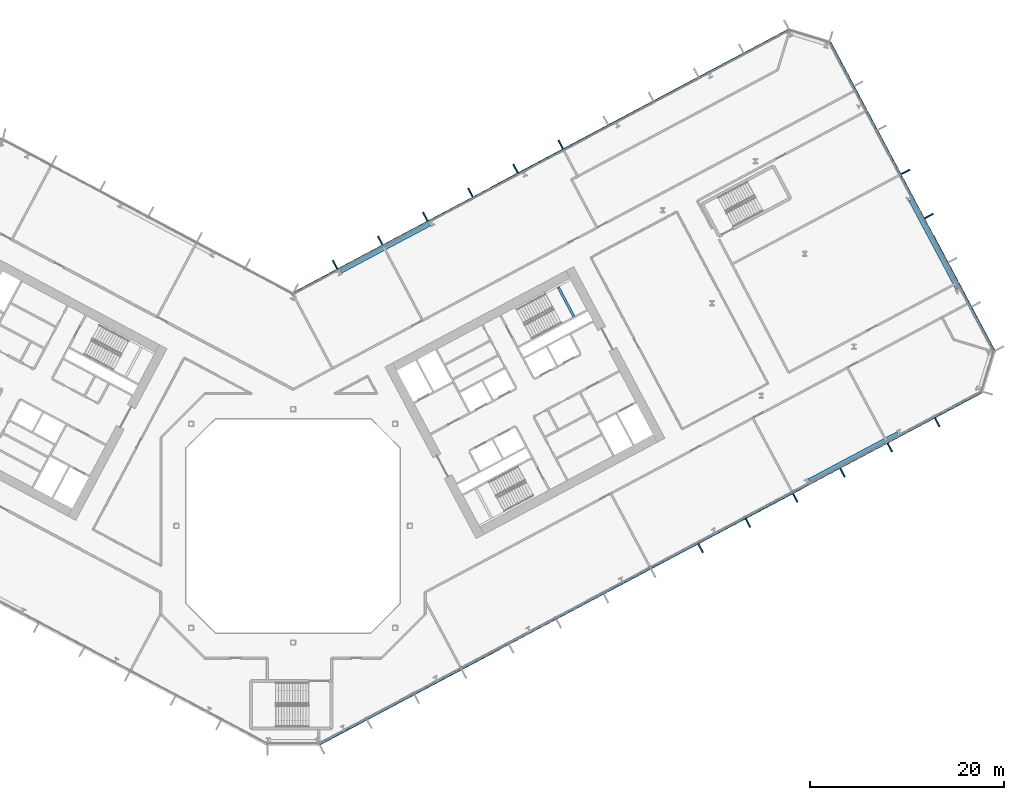
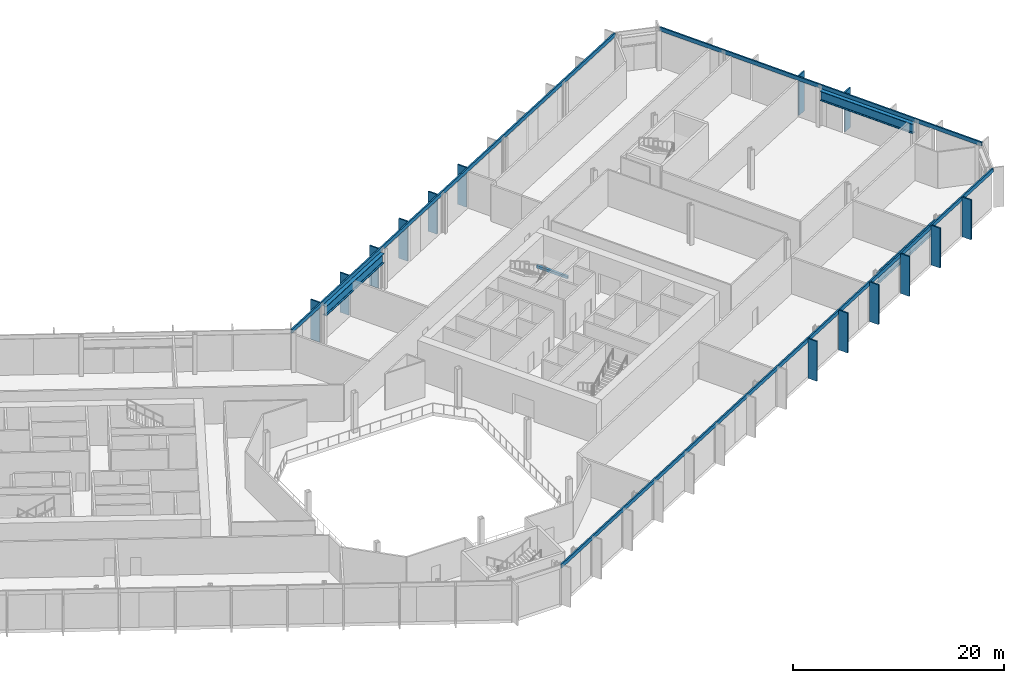
# One storey, part 8 of 32: 17 members, 4 beams, 3 elements without a shape of their own.
"""IFC4 building model written with IfcOpenShell, lengths in metres."""

from ifc_helpers import new_model, si_unit, direction, frame, origin, origin_2d, place, context, subcontext, project, spatial, rectangle, i_section, extrude, material, layer, layer_set, material_profile, profile_set, type_object, element, aggregate, save


model = new_model("IFC4")

# Units and contexts
model_context = context("Model", 3, precision=1e-05, world=origin(), true_north=direction((0.0, 1.0)))
body_context = subcontext(model_context, "Body", "Model", "MODEL_VIEW")
ifc_project = project(units=[si_unit("LENGTHUNIT", "METRE"), si_unit("AREAUNIT", "SQUARE_METRE"), si_unit("VOLUMEUNIT", "CUBIC_METRE"), si_unit("PLANEANGLEUNIT", "RADIAN"), si_unit("MASSUNIT", "GRAM", prefix="KILO")], contexts=[model_context])

# Site, building, storey
site_placement = place(None, origin())
site = spatial("IfcSite", under=ifc_project, at=site_placement, CompositionType="ELEMENT")
building_placement = place(site_placement, origin())
building = spatial("IfcBuilding", under=site, at=building_placement, Name="Cormorant Relay Tower", CompositionType="ELEMENT")
storey_placement = place(building_placement, frame((0.0, 0.0, 75.39990234375)))
storey = spatial("IfcBuildingStorey", under=building, at=storey_placement, Name="L14", CompositionType="ELEMENT", Elevation=75.39990234375)

# Curtain wall, members
ifc_material_1 = material(Name="Aluminium 6063-T6 anodised bronze", Category="aluminium")
ifc_layer = layer(ifc_material_1, 0.199951171875)
ifc_layer_set = layer_set([ifc_layer], Name="CW1 unitised bronze curtain wall with vertical fins")
curtain_wall_type = type_object("IfcCurtainWallType", Name="CW1 unitised bronze curtain wall with vertical fins", PredefinedType="NOTDEFINED", material=ifc_layer_set)
curtain_wall_1_placement = place(storey_placement, origin())
curtain_wall_1 = element("IfcCurtainWall", 1, at=curtain_wall_1_placement, inside=storey, type_object=curtain_wall_type, Name="CW1 curtain wall 2", PredefinedType="NOTDEFINED")
ifc_material_2 = material(Name="Aluminium 6063-T6 anodised bronze", Category="aluminium")
ifc_material_profile_1 = material_profile(ifc_material_2, rectangle(XDim=0.14990234375, YDim=1.0, at=origin_2d()), Name="AL 150x1000")
ifc_profile_set_1 = profile_set([ifc_material_profile_1], Name="Aluminium 6063-T6 anodised bronze")
member_type_1 = type_object("IfcMemberType", Name="CW1 bronze fin mullion 150 x 1000", PredefinedType="MULLION", material=ifc_profile_set_1)
member_1_placement = place(storey_placement, frame((41.910888671875, -2.29248046875, 0.0), z_axis=(0.0, 0.0, 1.0), x_axis=(0.882947592859, 0.469471562786, 0.0)))
member_1 = element("IfcMember", 2, at=member_1_placement, type_object=member_type_1, Name="CW1 fin 2.9", PredefinedType="MULLION", context=body_context, shape_type="SweptSolid", body=[
    extrude(rectangle(XDim=0.14990234375, YDim=1.0, at=origin_2d()), origin(), (0.0, 0.0, 1.0), 4.60009765625),
])
member_2_placement = place(storey_placement, frame((46.777587890625, 0.29541015625, 0.0), z_axis=(0.0, 0.0, 1.0), x_axis=(0.882947592859, 0.469471562786, 0.0)))
member_2 = element("IfcMember", 3, at=member_2_placement, type_object=member_type_1, Name="CW1 fin 2.10", PredefinedType="MULLION", context=body_context, shape_type="SweptSolid", body=[
    extrude(rectangle(XDim=0.14990234375, YDim=1.0, at=origin_2d()), origin(), (0.0, 0.0, 1.0), 4.60009765625),
])
member_3_placement = place(storey_placement, frame((51.644287109375, 2.8828125, 0.0), z_axis=(0.0, 0.0, 1.0), x_axis=(0.882947592859, 0.469471562786, 0.0)))
member_3 = element("IfcMember", 4, at=member_3_placement, type_object=member_type_1, Name="CW1 fin 2.11", PredefinedType="MULLION", context=body_context, shape_type="SweptSolid", body=[
    extrude(rectangle(XDim=0.14990234375, YDim=1.0, at=origin_2d()), origin(), (0.0, 0.0, 1.0), 4.60009765625),
])
member_4_placement = place(storey_placement, frame((56.510986328125, 5.470703125, 0.0), z_axis=(0.0, 0.0, 1.0), x_axis=(0.882947592859, 0.469471562786, 0.0)))
member_4 = element("IfcMember", 5, at=member_4_placement, type_object=member_type_1, Name="CW1 fin 2.12", PredefinedType="MULLION", context=body_context, shape_type="SweptSolid", body=[
    extrude(rectangle(XDim=0.14990234375, YDim=1.0, at=origin_2d()), origin(), (0.0, 0.0, 1.0), 4.60009765625),
])
member_5_placement = place(storey_placement, frame((61.377685546875, 8.058349609375, 0.0), z_axis=(0.0, 0.0, 1.0), x_axis=(0.882947592859, 0.469471562786, 0.0)))
member_5 = element("IfcMember", 6, at=member_5_placement, type_object=member_type_1, Name="CW1 fin 2.13", PredefinedType="MULLION", context=body_context, shape_type="SweptSolid", body=[
    extrude(rectangle(XDim=0.14990234375, YDim=1.0, at=origin_2d()), origin(), (0.0, 0.0, 1.0), 4.60009765625),
])
member_6_placement = place(storey_placement, frame((66.244140625, 10.64599609375, 0.0), z_axis=(0.0, 0.0, 1.0), x_axis=(0.882947592859, 0.469471562786, 0.0)))
member_6 = element("IfcMember", 7, at=member_6_placement, type_object=member_type_1, Name="CW1 fin 2.14", PredefinedType="MULLION", context=body_context, shape_type="SweptSolid", body=[
    extrude(rectangle(XDim=0.14990234375, YDim=1.0, at=origin_2d()), origin(), (0.0, 0.0, 1.0), 4.60009765625),
])

curtain_wall_2_placement = place(storey_placement, origin())
curtain_wall_2 = element("IfcCurtainWall", 8, at=curtain_wall_2_placement, inside=storey, type_object=curtain_wall_type, Name="CW1 curtain wall 4", PredefinedType="NOTDEFINED")
member_7_placement = place(storey_placement, frame((65.3974609375, 31.860107421875, 0.0), z_axis=(0.0, 0.0, 1.0), x_axis=(-0.469471562786, 0.882947592859, 0.0)))
member_7 = element("IfcMember", 9, at=member_7_placement, type_object=member_type_1, Name="CW1 fin 4.4", PredefinedType="MULLION", context=body_context, shape_type="SweptSolid", body=[
    extrude(rectangle(XDim=0.14990234375, YDim=1.0, at=origin_2d()), origin(), (0.0, 0.0, 1.0), 4.60009765625),
])
member_8_placement = place(storey_placement, frame((62.983154296875, 36.40087890625, 0.0), z_axis=(0.0, 0.0, 1.0), x_axis=(-0.469471562786, 0.882947592859, 0.0)))
member_8 = element("IfcMember", 10, at=member_8_placement, type_object=member_type_1, Name="CW1 fin 4.5", PredefinedType="MULLION", context=body_context, shape_type="SweptSolid", body=[
    extrude(rectangle(XDim=0.14990234375, YDim=1.0, at=origin_2d()), origin(), (0.0, 0.0, 1.0), 4.60009765625),
])

curtain_wall_3_placement = place(storey_placement, origin())
curtain_wall_3 = element("IfcCurtainWall", 11, at=curtain_wall_3_placement, inside=storey, type_object=curtain_wall_type, Name="CW1 curtain wall 6", PredefinedType="NOTDEFINED")
member_9_placement = place(storey_placement, frame((27.524658203125, 39.2119140625, 0.0), z_axis=(0.0, 0.0, 1.0), x_axis=(-0.882947592859, -0.469471562786, 0.0)))
member_9 = element("IfcMember", 12, at=member_9_placement, type_object=member_type_1, Name="CW1 fin 6.6", PredefinedType="MULLION", context=body_context, shape_type="SweptSolid", body=[
    extrude(rectangle(XDim=0.14990234375, YDim=1.0, at=origin_2d()), origin(), (0.0, 0.0, 1.0), 4.60009765625),
])
member_10_placement = place(storey_placement, frame((22.882568359375, 36.74365234375, 0.0), z_axis=(0.0, 0.0, 1.0), x_axis=(-0.882947592859, -0.469471562786, 0.0)))
member_10 = element("IfcMember", 13, at=member_10_placement, type_object=member_type_1, Name="CW1 fin 6.7", PredefinedType="MULLION", context=body_context, shape_type="SweptSolid", body=[
    extrude(rectangle(XDim=0.14990234375, YDim=1.0, at=origin_2d()), origin(), (0.0, 0.0, 1.0), 4.60009765625),
])
member_11_placement = place(storey_placement, frame((18.240234375, 34.275390625, 0.0), z_axis=(0.0, 0.0, 1.0), x_axis=(-0.882947592859, -0.469471562786, 0.0)))
member_11 = element("IfcMember", 14, at=member_11_placement, type_object=member_type_1, Name="CW1 fin 6.8", PredefinedType="MULLION", context=body_context, shape_type="SweptSolid", body=[
    extrude(rectangle(XDim=0.14990234375, YDim=1.0, at=origin_2d()), origin(), (0.0, 0.0, 1.0), 4.60009765625),
])
member_12_placement = place(storey_placement, frame((13.597900390625, 31.806884765625, 0.0), z_axis=(0.0, 0.0, 1.0), x_axis=(-0.882947592859, -0.469471562786, 0.0)))
member_12 = element("IfcMember", 15, at=member_12_placement, type_object=member_type_1, Name="CW1 fin 6.9", PredefinedType="MULLION", context=body_context, shape_type="SweptSolid", body=[
    extrude(rectangle(XDim=0.14990234375, YDim=1.0, at=origin_2d()), origin(), (0.0, 0.0, 1.0), 4.60009765625),
])
member_13_placement = place(storey_placement, frame((8.955810546875, 29.338623046875, 0.0), z_axis=(0.0, 0.0, 1.0), x_axis=(-0.882947592859, -0.469471562786, 0.0)))
member_13 = element("IfcMember", 16, at=member_13_placement, type_object=member_type_1, Name="CW1 fin 6.10", PredefinedType="MULLION", context=body_context, shape_type="SweptSolid", body=[
    extrude(rectangle(XDim=0.14990234375, YDim=1.0, at=origin_2d()), origin(), (0.0, 0.0, 1.0), 4.60009765625),
])
member_14_placement = place(storey_placement, frame((4.313720703125, 26.870361328125, 0.0), z_axis=(0.0, 0.0, 1.0), x_axis=(-0.882947592859, -0.469471562786, 0.0)))
member_14 = element("IfcMember", 17, at=member_14_placement, type_object=member_type_1, Name="CW1 fin 6.11", PredefinedType="MULLION", context=body_context, shape_type="SweptSolid", body=[
    extrude(rectangle(XDim=0.14990234375, YDim=1.0, at=origin_2d()), origin(), (0.0, 0.0, 1.0), 4.60009765625),
])

# Member
ifc_material_3 = material(Name="Aluminium 6063-T6 anodised bronze", Category="aluminium")
ifc_material_profile_2 = material_profile(ifc_material_3, rectangle(XDim=0.159912109375, YDim=0.449951171875, at=origin_2d()), Name="AL 160x450")
ifc_profile_set_2 = profile_set([ifc_material_profile_2], Name="Aluminium 6063-T6 anodised bronze")
member_type_2 = type_object("IfcMemberType", Name="CW1 bronze transom 160 x 450", PredefinedType="USERDEFINED", material=ifc_profile_set_2)
member_15_placement = place(storey_placement, frame((2.705078125, -22.4814453125, 4.375), z_axis=(0.882948654677, 0.46946956579, 0.0), x_axis=(-0.46946956579, 0.882948654677, 0.0)))
member_15 = element("IfcMember", 18, at=member_15_placement, type_object=member_type_2, Name="CW1 transom 2", ObjectType="TRANSOM", PredefinedType="USERDEFINED", context=body_context, shape_type="SweptSolid", body=[
    extrude(rectangle(XDim=0.159912109375, YDim=0.449951171875, at=origin_2d()), origin(), (0.0, 0.0, 1.0), 77.166015625),
])

aggregate(curtain_wall_1, [member_1, member_2, member_3, member_4, member_5, member_6, member_15])

member_16_placement = place(storey_placement, frame((72.128662109375, 17.965087890625, 4.375), z_axis=(-0.469469230355, 0.88294883303, 0.0), x_axis=(-0.88294883303, -0.469469230355, 0.0)))
member_16 = element("IfcMember", 19, at=member_16_placement, type_object=member_type_2, Name="CW1 transom 4", ObjectType="TRANSOM", PredefinedType="USERDEFINED", context=body_context, shape_type="SweptSolid", body=[
    extrude(rectangle(XDim=0.159912109375, YDim=0.449951171875, at=origin_2d()), origin(), (0.0, 0.0, 1.0), 36.0),
])

aggregate(curtain_wall_2, [member_7, member_8, member_16])

member_17_placement = place(storey_placement, frame((51.008056640625, 51.04150390625, 4.375), z_axis=(-0.882946446228, -0.469473719279, 0.0), x_axis=(0.469473719279, -0.882946446228, 0.0)))
member_17 = element("IfcMember", 20, at=member_17_placement, type_object=member_type_2, Name="CW1 transom 6", ObjectType="TRANSOM", PredefinedType="USERDEFINED", context=body_context, shape_type="SweptSolid", body=[
    extrude(rectangle(XDim=0.159912109375, YDim=0.449951171875, at=origin_2d()), origin(), (0.0, 0.0, 1.0), 57.834228515625),
])

aggregate(curtain_wall_3, [member_9, member_10, member_11, member_12, member_13, member_14, member_17])

# Beams
ifc_material_4 = material(Name="Steel ASTM A992 (Fy 345 MPa)", Category="steel")
ifc_material_profile_3 = material_profile(ifc_material_4, i_section(OverallWidth=0.40380859375, OverallDepth=1.11767578125, WebThickness=0.026123046875, FlangeThickness=0.044921875, FilletRadius=0.02001953125, at=origin_2d()), Name="W1100x499")
ifc_profile_set_3 = profile_set([ifc_material_profile_3], Name="Steel ASTM A992 (Fy 345 MPa)")
beam_type_1 = type_object("IfcBeamType", Name="Spandrel W1100x499", PredefinedType="SPANDREL", material=ifc_profile_set_3)
for number, where, z_axis, x_axis, name in (
    (21, (53.0390625, 4.64599609375, 3.641357421875), (0.882937138632, 0.469491223799, 0.0), (-0.469491223799, 0.882937138632, 0.0), "Spandrel beam L14-002"),
    (22, (68.364990234375, 24.358154296875, 3.641357421875), (-0.469491223799, 0.882937138632, 0.0), (-0.882937138632, -0.469491223799, 0.0), "Spandrel beam L14-004"),
    (23, (14.06494140625, 31.03369140625, 3.641357421875), (-0.882946891921, -0.469472881056, 0.0), (0.469472881056, -0.882946891921, 0.0), "Spandrel beam L14-006"),
):
    element("IfcBeam", number, at=place(storey_placement, frame(where, z_axis=z_axis, x_axis=x_axis)), inside=storey, type_object=beam_type_1, Name=name, PredefinedType="SPANDREL", context=body_context, shape_type="SweptSolid", body=[
        extrude(i_section(OverallWidth=0.40380859375, OverallDepth=1.11767578125, WebThickness=0.026123046875, FlangeThickness=0.044921875, FilletRadius=0.02001953125, at=origin_2d()), origin(), (0.0, 0.0, 1.0), 10.376220703125),
    ])
ifc_material_5 = material(Name="Concrete 50 MPa", Category="concrete")
ifc_material_profile_4 = material_profile(ifc_material_5, rectangle(XDim=0.25, YDim=0.300048828125, at=origin_2d()), Name="RC 250x300")
ifc_profile_set_4 = profile_set([ifc_material_profile_4], Name="Concrete 50 MPa")
beam_type_2 = type_object("IfcBeamType", Name="Stair landing ledge beam 250x300", PredefinedType="BEAM", material=ifc_profile_set_4)
beam_placement = place(storey_placement, frame((28.878662109375, 21.527587890625, 1.9501953125), z_axis=(-0.469463917486, 0.882951657895, 0.0), x_axis=(-0.882951657895, -0.469463917486, 0.0)))
element("IfcBeam", 24, at=beam_placement, inside=storey, type_object=beam_type_2, Name="B2 landing ledge beam", PredefinedType="BEAM", context=body_context, shape_type="SweptSolid", body=[
    extrude(rectangle(XDim=0.25, YDim=0.300048828125, at=origin_2d()), origin(), (0.0, 0.0, 1.0), 3.449951171875),
])

save(model, "model.ifc")
